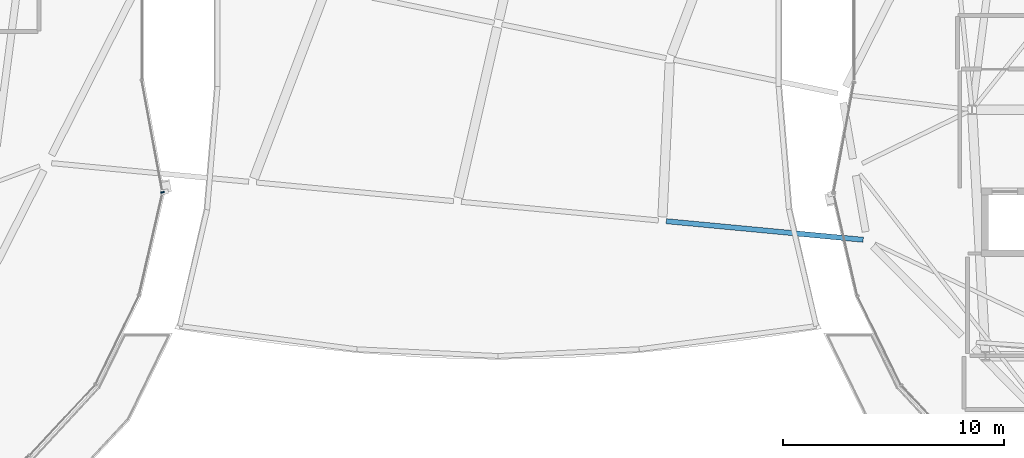
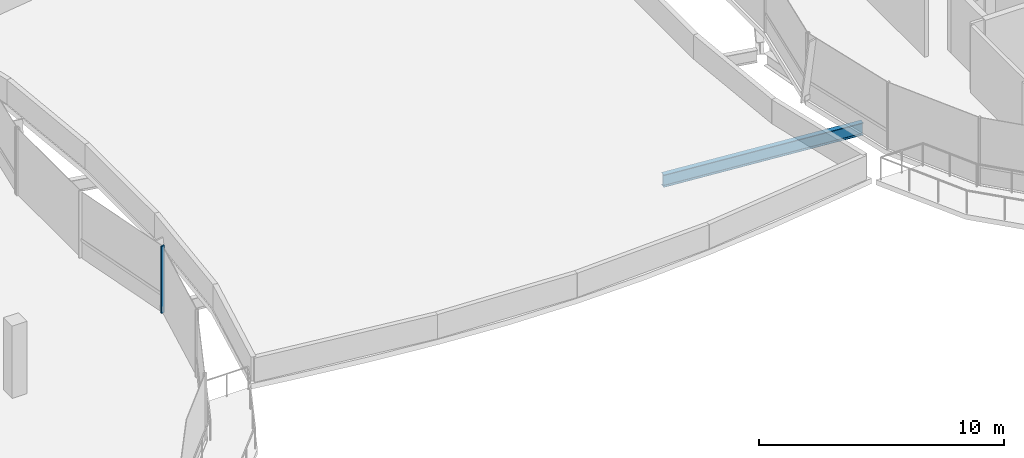
# One storey, part 6 of 31: 1 beam, 1 member, 1 element without a shape of its own.
"""IFC4 building model written with IfcOpenShell, lengths in metres."""

from ifc_helpers import new_model, si_unit, direction, frame, origin, origin_2d, place, context, subcontext, project, spatial, rectangle, i_section, extrude, material, material_profile, profile_set, type_object, element, aggregate, save


model = new_model("IFC4")

# Units and contexts
model_context = context("Model", 3, precision=1e-05, world=origin(), true_north=direction((0.0, 1.0)))
body_context = subcontext(model_context, "Body", "Model", "MODEL_VIEW")
ifc_project = project(units=[si_unit("LENGTHUNIT", "METRE"), si_unit("AREAUNIT", "SQUARE_METRE"), si_unit("VOLUMEUNIT", "CUBIC_METRE"), si_unit("PLANEANGLEUNIT", "RADIAN"), si_unit("MASSUNIT", "GRAM", prefix="KILO"), si_unit("THERMODYNAMICTEMPERATUREUNIT", "KELVIN"), si_unit("POWERUNIT", "WATT")], contexts=[model_context])

# Site, building, storey
site_placement = place(None, origin())
site = spatial("IfcSite", under=ifc_project, at=site_placement, CompositionType="ELEMENT")
building_placement = place(site_placement, origin())
building = spatial("IfcBuilding", under=site, at=building_placement, Name="Cundina Bronze Exchange", CompositionType="ELEMENT")
storey_placement = place(building_placement, frame((0.0, 0.0, 275.60009765625)))
storey = spatial("IfcBuildingStorey", under=building, at=storey_placement, Name="L73", CompositionType="ELEMENT", Elevation=275.60009765625)

# Beam
ifc_material_1 = material(Name="Steel ASTM A992 Grade 50", Category="steel")
ifc_material_profile_1 = material_profile(ifc_material_1, i_section(OverallWidth=0.22998046875, OverallDepth=0.616943359375, WebThickness=0.01318359375, FlangeThickness=0.022216796875, FilletRadius=0.013916015625, at=origin_2d()), Name="W24X94", Category="steel")
ifc_profile_set_1 = profile_set([ifc_material_profile_1], Name="Steel ASTM A992 Grade 50")
beam_type = type_object("IfcBeamType", Name="BM-FLR-W24B", PredefinedType="BEAM", material=ifc_profile_set_1)
beam_placement = place(storey_placement, frame((7.610595703125, -8.94189453125, -0.57861328125), z_axis=(0.995571895232, -0.094003199007, 0.0), x_axis=(0.094003199007, 0.995571895232, 0.0)))
element("IfcBeam", 1, at=beam_placement, inside=storey, type_object=beam_type, Name="L73 Sky-Gate Longitudinal Girder Y1-P4", PredefinedType="BEAM", context=body_context, shape_type="SweptSolid", body=[
    extrude(i_section(OverallWidth=0.22998046875, OverallDepth=0.616943359375, WebThickness=0.01318359375, FlangeThickness=0.022216796875, FilletRadius=0.013916015625, at=origin_2d()), origin(), (0.0, 0.0, 1.0), 8.94970703125),
])

# Curtain wall, member
ifc_material_2 = material(Name="Anodised Bronze Aluminium 6063-T6", Category="aluminium")
curtain_wall_type = type_object("IfcCurtainWallType", Name="CWS-CRN-TMD", PredefinedType="NOTDEFINED", material=ifc_material_2)
curtain_wall_placement = place(storey_placement, origin())
curtain_wall = element("IfcCurtainWall", 2, at=curtain_wall_placement, inside=storey, type_object=curtain_wall_type, Name="L73 CW-07 Curtain Wall Run CWR-L73-W4", PredefinedType="NOTDEFINED")
ifc_material_profile_2 = material_profile(ifc_material_2, rectangle(XDim=0.06494140625, YDim=0.159912109375, at=origin_2d()), Name="AL65X160", Category="aluminium")
ifc_profile_set_2 = profile_set([ifc_material_profile_2], Name="Anodised Bronze Aluminium 6063-T6")
member_type = type_object("IfcMemberType", Name="CWM-MUL-160", PredefinedType="MULLION", material=ifc_profile_set_2)
member_placement = place(storey_placement, frame((-15.1845703125, -7.635498046875, 0.0), z_axis=(0.0, 0.0, 1.0), x_axis=(-0.181549039717, 0.983381892338, 0.0)))
member = element("IfcMember", 3, at=member_placement, type_object=member_type, Name="CW-07 Mullion 5", PredefinedType="MULLION", context=body_context, shape_type="SweptSolid", body=[
    extrude(rectangle(XDim=0.06494140625, YDim=0.159912109375, at=origin_2d()), origin(), (0.0, 0.0, 1.0), 3.33984375),
])
aggregate(curtain_wall, [member])

save(model, "model.ifc")
